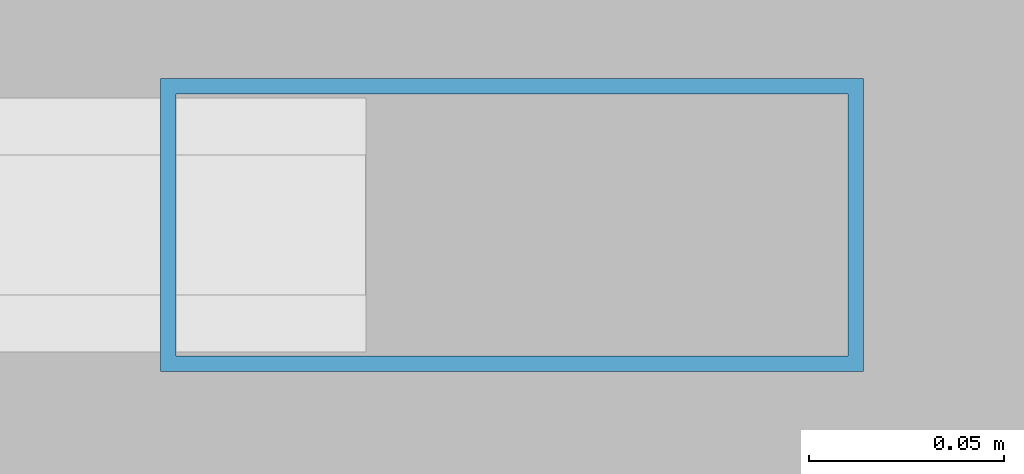
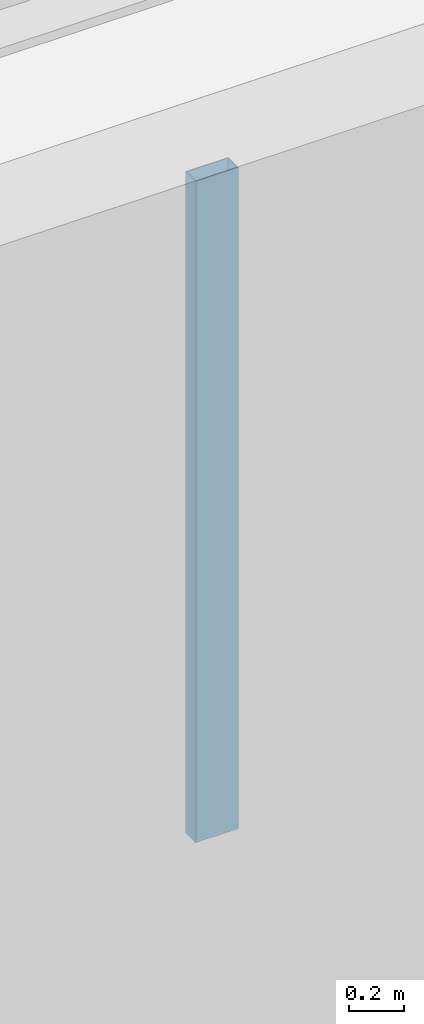
# One storey, part 6 of 31: 1 member, 1 element without a shape of its own.
"""IFC4 building model written with IfcOpenShell, lengths in metres."""

from ifc_helpers import new_model, si_unit, direction, frame, origin, origin_2d, place, context, subcontext, project, spatial, hollow_rectangle, extrude, material, layer, layer_set, material_profile, profile_set, type_object, element, aggregate, save


model = new_model("IFC4")

# Units and contexts
model_context = context("Model", 3, precision=1e-05, world=origin(), true_north=direction((0.0, 1.0)))
body_context = subcontext(model_context, "Body", "Model", "MODEL_VIEW")
ifc_project = project(units=[si_unit("LENGTHUNIT", "METRE"), si_unit("AREAUNIT", "SQUARE_METRE"), si_unit("VOLUMEUNIT", "CUBIC_METRE"), si_unit("PLANEANGLEUNIT", "RADIAN"), si_unit("MASSUNIT", "GRAM", prefix="KILO")], contexts=[model_context])

# Site, building, storey
site_placement = place(None, origin())
site = spatial("IfcSite", under=ifc_project, at=site_placement, CompositionType="ELEMENT")
building_placement = place(site_placement, origin())
building = spatial("IfcBuilding", under=site, at=building_placement, Name="Qiaolan Cultural Towers", CompositionType="ELEMENT")
storey_placement = place(building_placement, origin())
storey = spatial("IfcBuildingStorey", under=building, at=storey_placement, Name="L00", CompositionType="ELEMENT", Elevation=0.0)

# Curtain wall, member
ifc_material_1 = material(Name="Unitized Anodized Aluminium Curtain Wall System", Category="aluminium")
ifc_layer = layer(ifc_material_1, 0.199951171875)
ifc_layer_set = layer_set([ifc_layer], Name="Unitized Anodized Aluminium Curtain Wall System")
curtain_wall_type = type_object("IfcCurtainWallType", Name="CWS-01", PredefinedType="NOTDEFINED", material=ifc_layer_set)
curtain_wall_placement = place(storey_placement, origin())
curtain_wall = element("IfcCurtainWall", 1, at=curtain_wall_placement, inside=storey, type_object=curtain_wall_type, Name="L00 South Station Concourse Clerestory Curtain Wall", PredefinedType="NOTDEFINED")
ifc_material_2 = material(Name="Extruded Aluminium 6063-T6", Category="aluminium")
ifc_material_profile = material_profile(ifc_material_2, hollow_rectangle(XDim=0.074951171875, YDim=0.179931640625, WallThickness=0.00390625, at=origin_2d()), Name="CWM-180x75x4")
ifc_profile_set = profile_set([ifc_material_profile], Name="Extruded Aluminium 6063-T6")
member_type = type_object("IfcMemberType", Name="CWS-01-MUL", PredefinedType="MULLION", material=ifc_profile_set)
member_placement = place(storey_placement, frame((65.46240234375, 0.219970703125, 2.60009765625), z_axis=(0.0, 0.0, 1.0), x_axis=(0.0, 1.0, 0.0)))
member = element("IfcMember", 2, at=member_placement, type_object=member_type, Name="CW-1 mullion 9", PredefinedType="MULLION", context=body_context, shape_type="SweptSolid", body=[
    extrude(hollow_rectangle(XDim=0.074951171875, YDim=0.179931640625, WallThickness=0.00390625, at=origin_2d()), origin(), (0.0, 0.0, 1.0), 2.949951171875),
])
aggregate(curtain_wall, [member])

save(model, "model.ifc")
